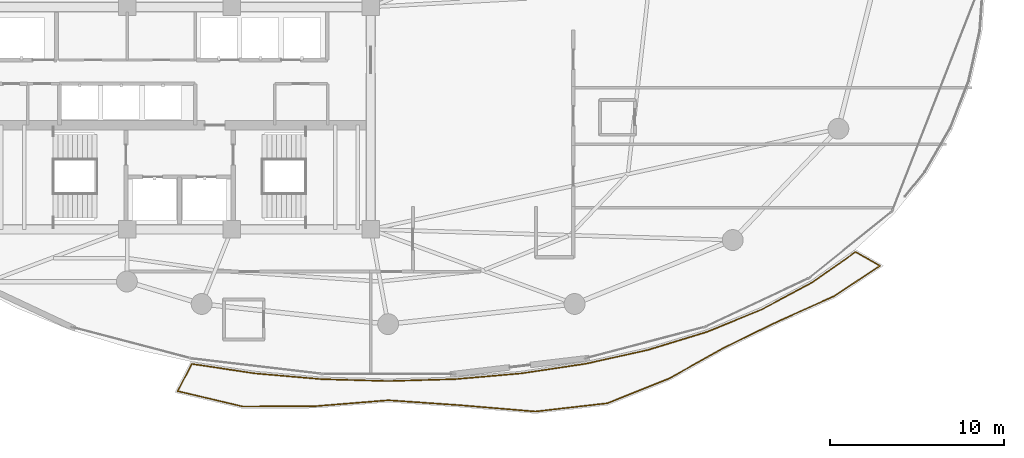
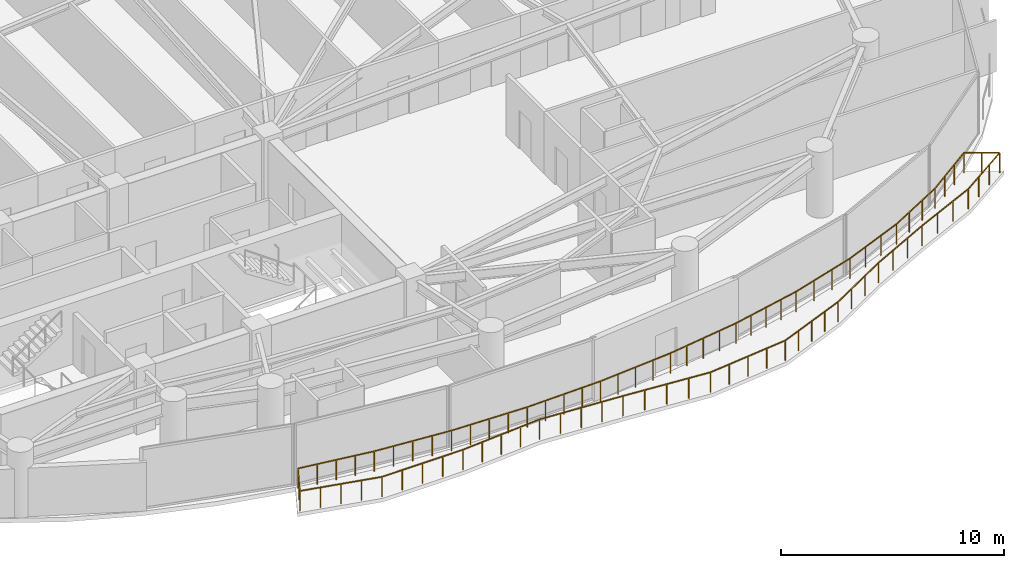
# One storey, part 32 of 34: 1 railing.
"""IFC4 building model written with IfcOpenShell, lengths in metres."""

from ifc_helpers import new_model, si_unit, direction, frame, origin, origin_2d, place, context, subcontext, project, spatial, rectangle, extrude, material, type_object, element, save


model = new_model("IFC4")

# Units and contexts
model_context = context("Model", 3, precision=1e-05, world=origin(), true_north=direction((0.0, 1.0)))
body_context = subcontext(model_context, "Body", "Model", "MODEL_VIEW")
ifc_project = project(units=[si_unit("LENGTHUNIT", "METRE"), si_unit("AREAUNIT", "SQUARE_METRE"), si_unit("VOLUMEUNIT", "CUBIC_METRE"), si_unit("PLANEANGLEUNIT", "RADIAN"), si_unit("MASSUNIT", "GRAM", prefix="KILO")], contexts=[model_context])

# Site, building, storey
site_placement = place(None, origin())
site = spatial("IfcSite", under=ifc_project, at=site_placement, CompositionType="ELEMENT")
building_placement = place(site_placement, origin())
building = spatial("IfcBuilding", under=site, at=building_placement, Name="Kazevale Care Tower and Concert Hall", CompositionType="ELEMENT")
storey_placement = place(building_placement, frame((0.0, 0.0, 167.39990234375)))
storey = spatial("IfcBuildingStorey", under=building, at=storey_placement, Name="L44", CompositionType="ELEMENT", Elevation=167.39990234375)

# Railing
ifc_material = material(Name="Anodised Bronze Aluminium and Laminated Glass", Category="aluminium")
railing_type = type_object("IfcRailingType", Name="Balcony and Terrace Balustrade 1120", PredefinedType="BALUSTRADE", material=ifc_material)
railing_placement = place(storey_placement, frame((33.702880859375, 15.861083984375, 0.0)))
element("IfcRailing", 1, at=railing_placement, inside=storey, type_object=railing_type, Name="rail:L44:balcony", PredefinedType="BALUSTRADE", context=body_context, shape_type="SweptSolid", body=[
    extrude(rectangle(XDim=0.048095703125, YDim=0.048095703125, at=origin_2d()), frame((0.0, 0.0, 1.09619140625), z_axis=(0.988898738041, -0.148591002089, 0.0), x_axis=(0.148591002089, 0.988898738041, 0.0)), (0.0, 0.0, 1.0), 3.6689453125),
    extrude(rectangle(XDim=0.048095703125, YDim=0.048095703125, at=origin_2d()), frame((3.628173828125, -0.545166015625, 1.09619140625), z_axis=(0.996251838222, -0.086500143585, 0.0), x_axis=(0.086500143585, 0.996251838222, 0.0)), (0.0, 0.0, 1.0), 3.824462890625),
    extrude(rectangle(XDim=0.048095703125, YDim=0.048095703125, at=origin_2d()), frame((7.438232421875, -0.8759765625, 1.09619140625), z_axis=(0.999593168995, -0.028521860004, 0.0), x_axis=(0.028521860004, 0.999593168995, 0.0)), (0.0, 0.0, 1.0), 3.8603515625),
    extrude(rectangle(XDim=0.048095703125, YDim=0.048095703125, at=origin_2d()), frame((11.297119140625, -0.986083984375, 1.09619140625), z_axis=(0.999593168995, 0.028521860004, 0.0), x_axis=(-0.028521860004, 0.999593168995, 0.0)), (0.0, 0.0, 1.0), 3.8603515625),
    extrude(rectangle(XDim=0.048095703125, YDim=0.048095703125, at=origin_2d()), frame((15.156005859375, -0.8759765625, 1.09619140625), z_axis=(0.996251838222, 0.086500143585, 0.0), x_axis=(-0.086500143585, 0.996251838222, 0.0)), (0.0, 0.0, 1.0), 3.824462890625),
    extrude(rectangle(XDim=0.048095703125, YDim=0.048095703125, at=origin_2d()), frame((18.966064453125, -0.545166015625, 1.09619140625), z_axis=(0.988903437953, 0.148559719995, 0.0), x_axis=(-0.148559719995, 0.988903437953, 0.0)), (0.0, 0.0, 1.0), 3.7568359375),
    extrude(rectangle(XDim=0.048095703125, YDim=0.048095703125, at=origin_2d()), frame((22.68115234375, 0.012939453125, 1.09619140625), z_axis=(0.9762591871, 0.216605631512, 0.0), x_axis=(-0.216605631512, 0.9762591871, 0.0)), (0.0, 0.0, 1.0), 3.660888671875),
    extrude(rectangle(XDim=0.048095703125, YDim=0.048095703125, at=origin_2d()), frame((26.255126953125, 0.805908203125, 1.09619140625), z_axis=(0.956153868694, 0.292864780028, 0.0), x_axis=(-0.292864780028, 0.956153868694, 0.0)), (0.0, 0.0, 1.0), 3.541259765625),
    extrude(rectangle(XDim=0.048095703125, YDim=0.048095703125, at=origin_2d()), frame((29.64111328125, 1.843017578125, 1.09619140625), z_axis=(0.925821569017, 0.377960874089, 0.0), x_axis=(-0.377960874089, 0.925821569017, 0.0)), (0.0, 0.0, 1.0), 3.409912109375),
    extrude(rectangle(XDim=0.048095703125, YDim=0.048095703125, at=origin_2d()), frame((32.798095703125, 3.1318359375, 1.09619140625), z_axis=(0.881173131857, 0.472793730598, 0.0), x_axis=(-0.472793730598, 0.881173131857, 0.0)), (0.0, 0.0, 1.0), 3.278564453125),
    extrude(rectangle(XDim=0.048095703125, YDim=0.048095703125, at=origin_2d()), frame((35.68701171875, 4.681884765625, 1.09619140625), z_axis=(0.818641866863, 0.574304356435, 0.0), x_axis=(-0.574304356435, 0.818641866863, 0.0)), (0.0, 0.0, 1.0), 3.073486328125),
    extrude(rectangle(XDim=0.048095703125, YDim=0.048095703125, at=origin_2d()), frame((38.203125, 6.447021484375, 1.09619140625), z_axis=(0.865665798792, -0.500622337498, 0.0), x_axis=(0.500622337498, 0.865665798792, 0.0)), (0.0, 0.0, 1.0), 1.6044921875),
    extrude(rectangle(XDim=0.048095703125, YDim=0.048095703125, at=origin_2d()), frame((39.592041015625, 5.643798828125, 1.09619140625), z_axis=(-0.833320622484, -0.55278996024, 0.0), x_axis=(0.55278996024, -0.833320622484, 0.0)), (0.0, 0.0, 1.0), 3.158203125),
    extrude(rectangle(XDim=0.048095703125, YDim=0.048095703125, at=origin_2d()), frame((36.960205078125, 3.89794921875, 1.09619140625), z_axis=(-0.912157131226, -0.409840661664, 0.0), x_axis=(0.409840661664, -0.912157131226, 0.0)), (0.0, 0.0, 1.0), 3.545654296875),
    extrude(rectangle(XDim=0.048095703125, YDim=0.048095703125, at=origin_2d()), frame((33.72607421875, 2.44482421875, 1.09619140625), z_axis=(-0.898844380162, -0.438267932037, 0.0), x_axis=(0.438267932037, -0.898844380162, 0.0)), (0.0, 0.0, 1.0), 3.490966796875),
    extrude(rectangle(XDim=0.048095703125, YDim=0.048095703125, at=origin_2d()), frame((30.588134765625, 0.914794921875, 1.09619140625), z_axis=(-0.871893924447, -0.489694787099, 0.0), x_axis=(0.489694787099, -0.871893924447, 0.0)), (0.0, 0.0, 1.0), 3.561279296875),
    extrude(rectangle(XDim=0.048095703125, YDim=0.048095703125, at=origin_2d()), frame((27.483154296875, -0.8291015625, 1.09619140625), z_axis=(-0.927714854629, -0.373289630851, 0.0), x_axis=(0.373289630851, -0.927714854629, 0.0)), (0.0, 0.0, 1.0), 3.833251953125),
    extrude(rectangle(XDim=0.048095703125, YDim=0.048095703125, at=origin_2d()), frame((23.927001953125, -2.260009765625, 1.09619140625), z_axis=(-0.993430930034, -0.114433331039, 0.0), x_axis=(0.114433331039, -0.993430930034, 0.0)), (0.0, 0.0, 1.0), 4.17724609375),
    extrude(rectangle(XDim=0.048095703125, YDim=0.048095703125, at=origin_2d()), frame((19.777099609375, -2.738037109375, 1.09619140625), z_axis=(-0.996515828445, 0.083403858772, 0.0), x_axis=(-0.083403858772, -0.996515828445, 0.0)), (0.0, 0.0, 1.0), 4.341064453125),
    extrude(rectangle(XDim=0.048095703125, YDim=0.048095703125, at=origin_2d()), frame((15.451171875, -2.3759765625, 1.09619140625), z_axis=(-0.997657306769, 0.068409781832, 0.0), x_axis=(-0.068409781832, -0.997657306769, 0.0)), (0.0, 0.0, 1.0), 4.164794921875),
    extrude(rectangle(XDim=0.048095703125, YDim=0.048095703125, at=origin_2d()), frame((11.296142578125, -2.091064453125, 1.09619140625), z_axis=(-0.996709653309, -0.081054716096, 0.0), x_axis=(0.081054716096, -0.996709653309, 0.0)), (0.0, 0.0, 1.0), 4.171630859375),
    extrude(rectangle(XDim=0.048095703125, YDim=0.048095703125, at=origin_2d()), frame((7.13818359375, -2.42919921875, 1.09619140625), z_axis=(-0.999987571149, -0.00498573431, 0.0), x_axis=(0.00498573431, -0.999987571149, 0.0)), (0.0, 0.0, 1.0), 4.211181640625),
    extrude(rectangle(XDim=0.048095703125, YDim=0.048095703125, at=origin_2d()), frame((2.927001953125, -2.4501953125, 1.09619140625), z_axis=(-0.973182283043, 0.230035310271, 0.0), x_axis=(-0.230035310271, -0.973182283043, 0.0)), (0.0, 0.0, 1.0), 3.8388671875),
    extrude(rectangle(XDim=0.048095703125, YDim=0.048095703125, at=origin_2d()), frame((-0.808837890625, -1.567138671875, 1.09619140625), z_axis=(0.458639393452, 0.888622477081, 0.0), x_axis=(-0.888622477081, 0.458639393452, 0.0)), (0.0, 0.0, 1.0), 1.763671875),
    extrude(rectangle(XDim=0.0419921875, YDim=0.0419921875, at=origin_2d()), origin(), (0.0, 0.0, 1.0), 1.072021484375),
    extrude(rectangle(XDim=0.0419921875, YDim=0.0419921875, at=origin_2d()), frame((0.906982421875, -0.13623046875, 0.0)), (0.0, 0.0, 1.0), 1.072021484375),
    extrude(rectangle(XDim=0.0419921875, YDim=0.0419921875, at=origin_2d()), frame((1.81396484375, -0.2724609375, 0.0)), (0.0, 0.0, 1.0), 1.072021484375),
    extrude(rectangle(XDim=0.0419921875, YDim=0.0419921875, at=origin_2d()), frame((2.72119140625, -0.408935546875, 0.0)), (0.0, 0.0, 1.0), 1.072021484375),
    extrude(rectangle(XDim=0.0419921875, YDim=0.0419921875, at=origin_2d()), frame((3.628173828125, -0.545166015625, 0.0)), (0.0, 0.0, 1.0), 1.072021484375),
    extrude(rectangle(XDim=0.0419921875, YDim=0.0419921875, at=origin_2d()), frame((4.58056640625, -0.6279296875, 0.0)), (0.0, 0.0, 1.0), 1.072021484375),
    extrude(rectangle(XDim=0.0419921875, YDim=0.0419921875, at=origin_2d()), frame((5.533203125, -0.71044921875, 0.0)), (0.0, 0.0, 1.0), 1.072021484375),
    extrude(rectangle(XDim=0.0419921875, YDim=0.0419921875, at=origin_2d()), frame((6.48583984375, -0.793212890625, 0.0)), (0.0, 0.0, 1.0), 1.072021484375),
    extrude(rectangle(XDim=0.0419921875, YDim=0.0419921875, at=origin_2d()), frame((7.438232421875, -0.8759765625, 0.0)), (0.0, 0.0, 1.0), 1.072021484375),
    extrude(rectangle(XDim=0.0419921875, YDim=0.0419921875, at=origin_2d()), frame((8.40283203125, -0.903564453125, 0.0)), (0.0, 0.0, 1.0), 1.072021484375),
    extrude(rectangle(XDim=0.0419921875, YDim=0.0419921875, at=origin_2d()), frame((9.36767578125, -0.93115234375, 0.0)), (0.0, 0.0, 1.0), 1.072021484375),
    extrude(rectangle(XDim=0.0419921875, YDim=0.0419921875, at=origin_2d()), frame((10.33251953125, -0.95849609375, 0.0)), (0.0, 0.0, 1.0), 1.072021484375),
    extrude(rectangle(XDim=0.0419921875, YDim=0.0419921875, at=origin_2d()), frame((11.297119140625, -0.986083984375, 0.0)), (0.0, 0.0, 1.0), 1.072021484375),
    extrude(rectangle(XDim=0.0419921875, YDim=0.0419921875, at=origin_2d()), frame((12.26171875, -0.95849609375, 0.0)), (0.0, 0.0, 1.0), 1.072021484375),
    extrude(rectangle(XDim=0.0419921875, YDim=0.0419921875, at=origin_2d()), frame((13.2265625, -0.93115234375, 0.0)), (0.0, 0.0, 1.0), 1.072021484375),
    extrude(rectangle(XDim=0.0419921875, YDim=0.0419921875, at=origin_2d()), frame((14.19140625, -0.903564453125, 0.0)), (0.0, 0.0, 1.0), 1.072021484375),
    extrude(rectangle(XDim=0.0419921875, YDim=0.0419921875, at=origin_2d()), frame((15.156005859375, -0.8759765625, 0.0)), (0.0, 0.0, 1.0), 1.072021484375),
    extrude(rectangle(XDim=0.0419921875, YDim=0.0419921875, at=origin_2d()), frame((16.1083984375, -0.793212890625, 0.0)), (0.0, 0.0, 1.0), 1.072021484375),
    extrude(rectangle(XDim=0.0419921875, YDim=0.0419921875, at=origin_2d()), frame((17.06103515625, -0.71044921875, 0.0)), (0.0, 0.0, 1.0), 1.072021484375),
    extrude(rectangle(XDim=0.0419921875, YDim=0.0419921875, at=origin_2d()), frame((18.013671875, -0.6279296875, 0.0)), (0.0, 0.0, 1.0), 1.072021484375),
    extrude(rectangle(XDim=0.0419921875, YDim=0.0419921875, at=origin_2d()), frame((18.966064453125, -0.545166015625, 0.0)), (0.0, 0.0, 1.0), 1.072021484375),
    extrude(rectangle(XDim=0.0419921875, YDim=0.0419921875, at=origin_2d()), frame((19.894775390625, -0.40576171875, 0.0)), (0.0, 0.0, 1.0), 1.072021484375),
    extrude(rectangle(XDim=0.0419921875, YDim=0.0419921875, at=origin_2d()), frame((20.82373046875, -0.26611328125, 0.0)), (0.0, 0.0, 1.0), 1.072021484375),
    extrude(rectangle(XDim=0.0419921875, YDim=0.0419921875, at=origin_2d()), frame((21.75244140625, -0.12646484375, 0.0)), (0.0, 0.0, 1.0), 1.072021484375),
    extrude(rectangle(XDim=0.0419921875, YDim=0.0419921875, at=origin_2d()), frame((22.68115234375, 0.012939453125, 0.0)), (0.0, 0.0, 1.0), 1.072021484375),
    extrude(rectangle(XDim=0.0419921875, YDim=0.0419921875, at=origin_2d()), frame((23.57470703125, 0.211181640625, 0.0)), (0.0, 0.0, 1.0), 1.072021484375),
    extrude(rectangle(XDim=0.0419921875, YDim=0.0419921875, at=origin_2d()), frame((24.46826171875, 0.409423828125, 0.0)), (0.0, 0.0, 1.0), 1.072021484375),
    extrude(rectangle(XDim=0.0419921875, YDim=0.0419921875, at=origin_2d()), frame((25.361572265625, 0.607666015625, 0.0)), (0.0, 0.0, 1.0), 1.072021484375),
    extrude(rectangle(XDim=0.0419921875, YDim=0.0419921875, at=origin_2d()), frame((26.255126953125, 0.805908203125, 0.0)), (0.0, 0.0, 1.0), 1.072021484375),
    extrude(rectangle(XDim=0.0419921875, YDim=0.0419921875, at=origin_2d()), frame((27.3837890625, 1.151611328125, 0.0)), (0.0, 0.0, 1.0), 1.072021484375),
    extrude(rectangle(XDim=0.0419921875, YDim=0.0419921875, at=origin_2d()), frame((28.512451171875, 1.497314453125, 0.0)), (0.0, 0.0, 1.0), 1.072021484375),
    extrude(rectangle(XDim=0.0419921875, YDim=0.0419921875, at=origin_2d()), frame((29.64111328125, 1.843017578125, 0.0)), (0.0, 0.0, 1.0), 1.072021484375),
    extrude(rectangle(XDim=0.0419921875, YDim=0.0419921875, at=origin_2d()), frame((30.693359375, 2.272705078125, 0.0)), (0.0, 0.0, 1.0), 1.072021484375),
    extrude(rectangle(XDim=0.0419921875, YDim=0.0419921875, at=origin_2d()), frame((31.745849609375, 2.7021484375, 0.0)), (0.0, 0.0, 1.0), 1.072021484375),
    extrude(rectangle(XDim=0.0419921875, YDim=0.0419921875, at=origin_2d()), frame((32.798095703125, 3.1318359375, 0.0)), (0.0, 0.0, 1.0), 1.072021484375),
    extrude(rectangle(XDim=0.0419921875, YDim=0.0419921875, at=origin_2d()), frame((33.760986328125, 3.6484375, 0.0)), (0.0, 0.0, 1.0), 1.072021484375),
    extrude(rectangle(XDim=0.0419921875, YDim=0.0419921875, at=origin_2d()), frame((34.72412109375, 4.165283203125, 0.0)), (0.0, 0.0, 1.0), 1.072021484375),
    extrude(rectangle(XDim=0.0419921875, YDim=0.0419921875, at=origin_2d()), frame((35.68701171875, 4.681884765625, 0.0)), (0.0, 0.0, 1.0), 1.072021484375),
    extrude(rectangle(XDim=0.0419921875, YDim=0.0419921875, at=origin_2d()), frame((36.525634765625, 5.270263671875, 0.0)), (0.0, 0.0, 1.0), 1.072021484375),
    extrude(rectangle(XDim=0.0419921875, YDim=0.0419921875, at=origin_2d()), frame((37.364501953125, 5.858642578125, 0.0)), (0.0, 0.0, 1.0), 1.072021484375),
    extrude(rectangle(XDim=0.0419921875, YDim=0.0419921875, at=origin_2d()), frame((38.203125, 6.447021484375, 0.0)), (0.0, 0.0, 1.0), 1.072021484375),
    extrude(rectangle(XDim=0.0419921875, YDim=0.0419921875, at=origin_2d()), frame((38.8974609375, 6.04541015625, 0.0)), (0.0, 0.0, 1.0), 1.072021484375),
    extrude(rectangle(XDim=0.0419921875, YDim=0.0419921875, at=origin_2d()), frame((39.592041015625, 5.643798828125, 0.0)), (0.0, 0.0, 1.0), 1.072021484375),
    extrude(rectangle(XDim=0.0419921875, YDim=0.0419921875, at=origin_2d()), frame((38.71484375, 5.061767578125, 0.0)), (0.0, 0.0, 1.0), 1.072021484375),
    extrude(rectangle(XDim=0.0419921875, YDim=0.0419921875, at=origin_2d()), frame((37.83740234375, 4.47998046875, 0.0)), (0.0, 0.0, 1.0), 1.072021484375),
    extrude(rectangle(XDim=0.0419921875, YDim=0.0419921875, at=origin_2d()), frame((36.960205078125, 3.89794921875, 0.0)), (0.0, 0.0, 1.0), 1.072021484375),
    extrude(rectangle(XDim=0.0419921875, YDim=0.0419921875, at=origin_2d()), frame((35.882080078125, 3.41357421875, 0.0)), (0.0, 0.0, 1.0), 1.072021484375),
    extrude(rectangle(XDim=0.0419921875, YDim=0.0419921875, at=origin_2d()), frame((34.80419921875, 2.92919921875, 0.0)), (0.0, 0.0, 1.0), 1.072021484375),
    extrude(rectangle(XDim=0.0419921875, YDim=0.0419921875, at=origin_2d()), frame((33.72607421875, 2.44482421875, 0.0)), (0.0, 0.0, 1.0), 1.072021484375),
    extrude(rectangle(XDim=0.0419921875, YDim=0.0419921875, at=origin_2d()), frame((32.68017578125, 1.934814453125, 0.0)), (0.0, 0.0, 1.0), 1.072021484375),
    extrude(rectangle(XDim=0.0419921875, YDim=0.0419921875, at=origin_2d()), frame((31.634033203125, 1.4248046875, 0.0)), (0.0, 0.0, 1.0), 1.072021484375),
    extrude(rectangle(XDim=0.0419921875, YDim=0.0419921875, at=origin_2d()), frame((30.588134765625, 0.914794921875, 0.0)), (0.0, 0.0, 1.0), 1.072021484375),
    extrude(rectangle(XDim=0.0419921875, YDim=0.0419921875, at=origin_2d()), frame((29.55322265625, 0.33349609375, 0.0)), (0.0, 0.0, 1.0), 1.072021484375),
    extrude(rectangle(XDim=0.0419921875, YDim=0.0419921875, at=origin_2d()), frame((28.51806640625, -0.247802734375, 0.0)), (0.0, 0.0, 1.0), 1.072021484375),
    extrude(rectangle(XDim=0.0419921875, YDim=0.0419921875, at=origin_2d()), frame((27.483154296875, -0.8291015625, 0.0)), (0.0, 0.0, 1.0), 1.072021484375),
    extrude(rectangle(XDim=0.0419921875, YDim=0.0419921875, at=origin_2d()), frame((26.59423828125, -1.186767578125, 0.0)), (0.0, 0.0, 1.0), 1.072021484375),
    extrude(rectangle(XDim=0.0419921875, YDim=0.0419921875, at=origin_2d()), frame((25.705078125, -1.54443359375, 0.0)), (0.0, 0.0, 1.0), 1.072021484375),
    extrude(rectangle(XDim=0.0419921875, YDim=0.0419921875, at=origin_2d()), frame((24.81591796875, -1.90234375, 0.0)), (0.0, 0.0, 1.0), 1.072021484375),
    extrude(rectangle(XDim=0.0419921875, YDim=0.0419921875, at=origin_2d()), frame((23.927001953125, -2.260009765625, 0.0)), (0.0, 0.0, 1.0), 1.072021484375),
    extrude(rectangle(XDim=0.0419921875, YDim=0.0419921875, at=origin_2d()), frame((22.8896484375, -2.37939453125, 0.0)), (0.0, 0.0, 1.0), 1.072021484375),
    extrude(rectangle(XDim=0.0419921875, YDim=0.0419921875, at=origin_2d()), frame((21.85205078125, -2.4990234375, 0.0)), (0.0, 0.0, 1.0), 1.072021484375),
    extrude(rectangle(XDim=0.0419921875, YDim=0.0419921875, at=origin_2d()), frame((20.814453125, -2.61865234375, 0.0)), (0.0, 0.0, 1.0), 1.072021484375),
    extrude(rectangle(XDim=0.0419921875, YDim=0.0419921875, at=origin_2d()), frame((19.777099609375, -2.738037109375, 0.0)), (0.0, 0.0, 1.0), 1.072021484375),
    extrude(rectangle(XDim=0.0419921875, YDim=0.0419921875, at=origin_2d()), frame((18.695556640625, -2.6474609375, 0.0)), (0.0, 0.0, 1.0), 1.072021484375),
    extrude(rectangle(XDim=0.0419921875, YDim=0.0419921875, at=origin_2d()), frame((17.6142578125, -2.55712890625, 0.0)), (0.0, 0.0, 1.0), 1.072021484375),
    extrude(rectangle(XDim=0.0419921875, YDim=0.0419921875, at=origin_2d()), frame((16.53271484375, -2.466552734375, 0.0)), (0.0, 0.0, 1.0), 1.072021484375),
    extrude(rectangle(XDim=0.0419921875, YDim=0.0419921875, at=origin_2d()), frame((15.451171875, -2.3759765625, 0.0)), (0.0, 0.0, 1.0), 1.072021484375),
    extrude(rectangle(XDim=0.0419921875, YDim=0.0419921875, at=origin_2d()), frame((14.412353515625, -2.3046875, 0.0)), (0.0, 0.0, 1.0), 1.072021484375),
    extrude(rectangle(XDim=0.0419921875, YDim=0.0419921875, at=origin_2d()), frame((13.37353515625, -2.2333984375, 0.0)), (0.0, 0.0, 1.0), 1.072021484375),
    extrude(rectangle(XDim=0.0419921875, YDim=0.0419921875, at=origin_2d()), frame((12.3349609375, -2.162353515625, 0.0)), (0.0, 0.0, 1.0), 1.072021484375),
    extrude(rectangle(XDim=0.0419921875, YDim=0.0419921875, at=origin_2d()), frame((11.296142578125, -2.091064453125, 0.0)), (0.0, 0.0, 1.0), 1.072021484375),
    extrude(rectangle(XDim=0.0419921875, YDim=0.0419921875, at=origin_2d()), frame((10.256591796875, -2.175537109375, 0.0)), (0.0, 0.0, 1.0), 1.072021484375),
    extrude(rectangle(XDim=0.0419921875, YDim=0.0419921875, at=origin_2d()), frame((9.21728515625, -2.26025390625, 0.0)), (0.0, 0.0, 1.0), 1.072021484375),
    extrude(rectangle(XDim=0.0419921875, YDim=0.0419921875, at=origin_2d()), frame((8.177734375, -2.3447265625, 0.0)), (0.0, 0.0, 1.0), 1.072021484375),
    extrude(rectangle(XDim=0.0419921875, YDim=0.0419921875, at=origin_2d()), frame((7.13818359375, -2.42919921875, 0.0)), (0.0, 0.0, 1.0), 1.072021484375),
    extrude(rectangle(XDim=0.0419921875, YDim=0.0419921875, at=origin_2d()), frame((6.08544921875, -2.4345703125, 0.0)), (0.0, 0.0, 1.0), 1.072021484375),
    extrude(rectangle(XDim=0.0419921875, YDim=0.0419921875, at=origin_2d()), frame((5.03271484375, -2.439697265625, 0.0)), (0.0, 0.0, 1.0), 1.072021484375),
    extrude(rectangle(XDim=0.0419921875, YDim=0.0419921875, at=origin_2d()), frame((3.979736328125, -2.44482421875, 0.0)), (0.0, 0.0, 1.0), 1.072021484375),
    extrude(rectangle(XDim=0.0419921875, YDim=0.0419921875, at=origin_2d()), frame((2.927001953125, -2.4501953125, 0.0)), (0.0, 0.0, 1.0), 1.072021484375),
    extrude(rectangle(XDim=0.0419921875, YDim=0.0419921875, at=origin_2d()), frame((1.9931640625, -2.2294921875, 0.0)), (0.0, 0.0, 1.0), 1.072021484375),
    extrude(rectangle(XDim=0.0419921875, YDim=0.0419921875, at=origin_2d()), frame((1.05908203125, -2.0087890625, 0.0)), (0.0, 0.0, 1.0), 1.072021484375),
    extrude(rectangle(XDim=0.0419921875, YDim=0.0419921875, at=origin_2d()), frame((0.125, -1.787841796875, 0.0)), (0.0, 0.0, 1.0), 1.072021484375),
    extrude(rectangle(XDim=0.0419921875, YDim=0.0419921875, at=origin_2d()), frame((-0.808837890625, -1.567138671875, 0.0)), (0.0, 0.0, 1.0), 1.072021484375),
    extrude(rectangle(XDim=0.0419921875, YDim=0.0419921875, at=origin_2d()), frame((-0.404296875, -0.78369140625, 0.0)), (0.0, 0.0, 1.0), 1.072021484375),
])

save(model, "model.ifc")
